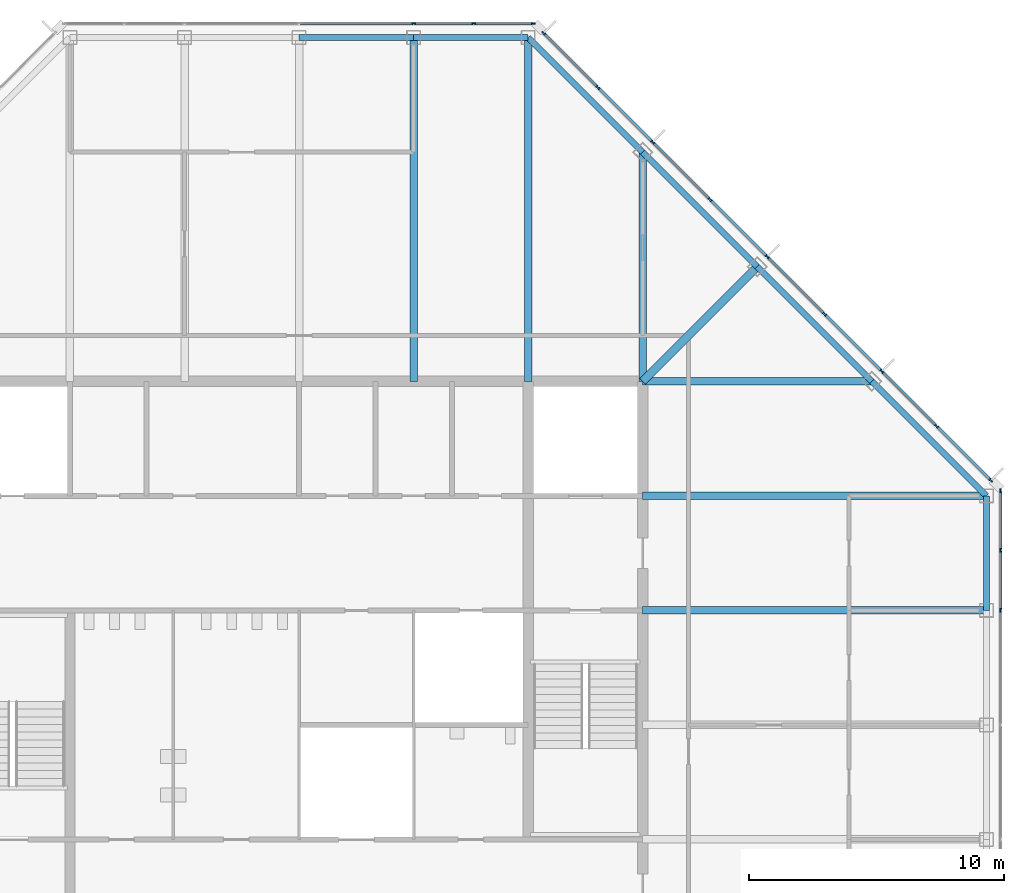
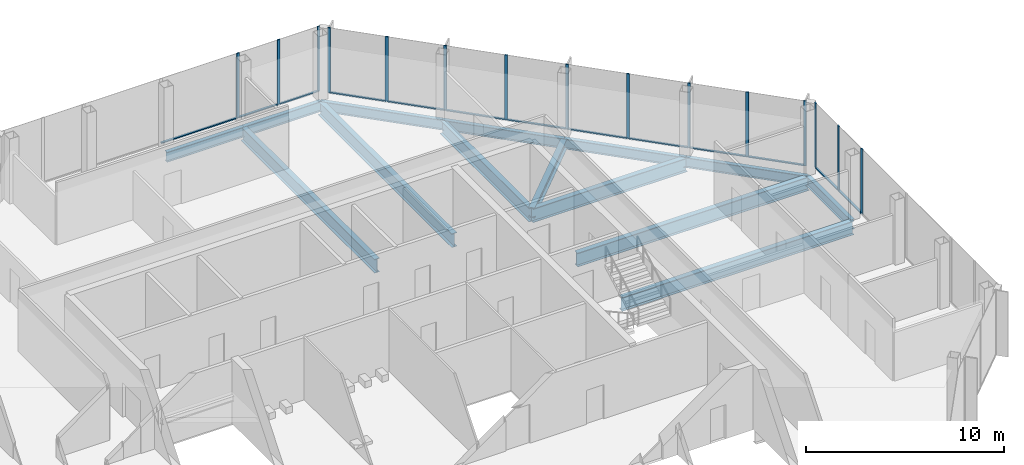
# One storey, part 7 of 14: 28 members, 14 beams, 3 elements without a shape of their own.
"""IFC4 building model written with IfcOpenShell, lengths in metres."""

from ifc_helpers import new_model, si_unit, direction, frame, origin, origin_2d, place, context, subcontext, project, spatial, rectangle, i_section, extrude, material, material_profile, profile_set, type_object, element, aggregate, save


model = new_model("IFC4")

# Units and contexts
model_context = context("Model", 3, precision=1e-05, world=origin(), true_north=direction((0.0, 1.0)))
body_context = subcontext(model_context, "Body", "Model", "MODEL_VIEW")
ifc_project = project(units=[si_unit("LENGTHUNIT", "METRE"), si_unit("AREAUNIT", "SQUARE_METRE"), si_unit("VOLUMEUNIT", "CUBIC_METRE"), si_unit("PLANEANGLEUNIT", "RADIAN"), si_unit("MASSUNIT", "GRAM", prefix="KILO")], contexts=[model_context])

# Site, building, storey
site_placement = place(None, origin())
site = spatial("IfcSite", under=ifc_project, at=site_placement, CompositionType="ELEMENT")
building_placement = place(site_placement, origin())
building = spatial("IfcBuilding", under=site, at=building_placement, Name="Corais Broadcast Tower", CompositionType="ELEMENT")
storey_placement = place(building_placement, frame((0.0, 0.0, 298.60009765625)))
storey = spatial("IfcBuildingStorey", under=building, at=storey_placement, Name="L70", CompositionType="ELEMENT", Elevation=298.60009765625)

# Beams
ifc_material_1 = material(Name="Steel ASTM A572 Grade 50", Category="steel")
ifc_material_profile_1 = material_profile(ifc_material_1, i_section(OverallWidth=0.323974609375, OverallDepth=0.611083984375, WebThickness=0.0126953125, FlangeThickness=0.01904296875, at=origin_2d()), Name="W610x155")
ifc_profile_set_1 = profile_set([ifc_material_profile_1], Name="Steel ASTM A572 Grade 50")
beam_type_1 = type_object("IfcBeamType", Name="Corner diagonal W610x155", PredefinedType="BEAM", material=ifc_profile_set_1)
beam_1_placement = place(storey_placement, frame((45.0, 45.0, -0.465576171875), z_axis=(-0.707106781187, -0.707106781187, 0.0), x_axis=(0.707106781187, -0.707106781187, 0.0)))
element("IfcBeam", 1, at=beam_1_placement, inside=storey, type_object=beam_type_1, Name="B6 L/13 to K/12", PredefinedType="BEAM", context=body_context, shape_type="SweptSolid", body=[
    extrude(i_section(OverallWidth=0.323974609375, OverallDepth=0.611083984375, WebThickness=0.0126953125, FlangeThickness=0.01904296875, at=origin_2d()), origin(), (0.0, 0.0, 1.0), 6.364013671875),
])
ifc_material_2 = material(Name="Steel ASTM A572 Grade 50", Category="steel")
ifc_material_profile_2 = material_profile(ifc_material_2, i_section(OverallWidth=0.2939453125, OverallDepth=0.85107421875, WebThickness=0.01611328125, FlangeThickness=0.02685546875, at=origin_2d()), Name="W840x226")
ifc_profile_set_2 = profile_set([ifc_material_profile_2], Name="Steel ASTM A572 Grade 50")
beam_type_2 = type_object("IfcBeamType", Name="Floor beam W840x226", PredefinedType="BEAM", material=ifc_profile_set_2)
for number, where, z_axis, x_axis, name in (
    (2, (31.5, 54.0, -0.585693359375), (0.0, -1.0, 0.0), (1.0, 0.0, 0.0), "B1 N/10 to K/10"),
    (3, (36.0, 54.0, -0.585693359375), (0.0, -1.0, 0.0), (1.0, 0.0, 0.0), "B1 N/11 to K/11"),
):
    element("IfcBeam", number, at=place(storey_placement, frame(where, z_axis=z_axis, x_axis=x_axis)), inside=storey, type_object=beam_type_2, Name=name, PredefinedType="BEAM", context=body_context, shape_type="SweptSolid", body=[
        extrude(i_section(OverallWidth=0.2939453125, OverallDepth=0.85107421875, WebThickness=0.01611328125, FlangeThickness=0.02685546875, at=origin_2d()), origin(), (0.0, 0.0, 1.0), 13.5),
    ])
for number, where, z_axis, x_axis, name in (
    (4, (40.5, 49.5, -0.585693359375), (0.0, -1.0, 0.0), (1.0, 0.0, 0.0), "B1 M/12 to K/12"),
    (5, (49.5, 40.5, -0.585693359375), (-1.0, 0.0, 0.0), (0.0, -1.0, 0.0), "B1 K/14 to K/12"),
):
    element("IfcBeam", number, at=place(storey_placement, frame(where, z_axis=z_axis, x_axis=x_axis)), inside=storey, type_object=beam_type_2, Name=name, PredefinedType="BEAM", context=body_context, shape_type="SweptSolid", body=[
        extrude(i_section(OverallWidth=0.2939453125, OverallDepth=0.85107421875, WebThickness=0.01611328125, FlangeThickness=0.02685546875, at=origin_2d()), origin(), (0.0, 0.0, 1.0), 9.0),
    ])
for number, where, z_axis, x_axis, name in (
    (6, (54.0, 31.5, -0.585693359375), (-1.0, 0.0, 0.0), (0.0, -1.0, 0.0), "B1 H/15 to H/12"),
    (7, (54.0, 36.0, -0.585693359375), (-1.0, 0.0, 0.0), (0.0, -1.0, 0.0), "B1 J/15 to J/12"),
):
    element("IfcBeam", number, at=place(storey_placement, frame(where, z_axis=z_axis, x_axis=x_axis)), inside=storey, type_object=beam_type_2, Name=name, PredefinedType="BEAM", context=body_context, shape_type="SweptSolid", body=[
        extrude(i_section(OverallWidth=0.2939453125, OverallDepth=0.85107421875, WebThickness=0.01611328125, FlangeThickness=0.02685546875, at=origin_2d()), origin(), (0.0, 0.0, 1.0), 13.5),
    ])

# Curtain wall, members
ifc_material_3 = material(Name="Aluminium and glass", Category="aluminium")
curtain_wall_type = type_object("IfcCurtainWallType", Name="Unitised fritted curtain wall CW3", PredefinedType="NOTDEFINED", material=ifc_material_3)
curtain_wall_1_placement = place(storey_placement, origin())
curtain_wall_1 = element("IfcCurtainWall", 8, at=curtain_wall_1_placement, inside=storey, type_object=curtain_wall_type, Name="CW3 curtain wall L70 4", PredefinedType="NOTDEFINED")
ifc_material_4 = material(Name="Aluminium 6063-T6", Category="aluminium")
ifc_material_profile_3 = material_profile(ifc_material_4, rectangle(XDim=0.06494140625, YDim=0.159912109375, at=origin_2d()), Name="Mullion CW3 65x160")
ifc_profile_set_3 = profile_set([ifc_material_profile_3], Name="Aluminium 6063-T6")
member_type_1 = type_object("IfcMemberType", Name="Mullion CW3 65x160", PredefinedType="MULLION", material=ifc_profile_set_3)
member_1_placement = place(storey_placement, frame((31.5, 54.550048828125, 0.0), z_axis=(0.0, 0.0, 1.0), x_axis=(0.0, 1.0, 0.0)))
member_1 = element("IfcMember", 9, at=member_1_placement, type_object=member_type_1, Name="CW3 mullion 5", PredefinedType="MULLION", context=body_context, shape_type="SweptSolid", body=[
    extrude(rectangle(XDim=0.06494140625, YDim=0.159912109375, at=origin_2d()), origin(), (0.0, 0.0, 1.0), 4.0),
])
member_2_placement = place(storey_placement, frame((33.864013671875, 54.550048828125, 0.0), z_axis=(0.0, 0.0, 1.0), x_axis=(0.0, 1.0, 0.0)))
member_2 = element("IfcMember", 10, at=member_2_placement, type_object=member_type_1, Name="CW3 mullion 6", PredefinedType="MULLION", context=body_context, shape_type="SweptSolid", body=[
    extrude(rectangle(XDim=0.06494140625, YDim=0.159912109375, at=origin_2d()), origin(), (0.0, 0.0, 1.0), 4.0),
])
member_3_placement = place(storey_placement, frame((36.1953125, 54.550048828125, 0.0), z_axis=(0.0, 0.0, 1.0), x_axis=(0.0, 1.0, 0.0)))
member_3 = element("IfcMember", 11, at=member_3_placement, type_object=member_type_1, Name="CW3 mullion 7", PredefinedType="MULLION", context=body_context, shape_type="SweptSolid", body=[
    extrude(rectangle(XDim=0.06494140625, YDim=0.159912109375, at=origin_2d()), origin(), (0.0, 0.0, 1.0), 4.0),
])

curtain_wall_2_placement = place(storey_placement, origin())
curtain_wall_2 = element("IfcCurtainWall", 12, at=curtain_wall_2_placement, inside=storey, type_object=curtain_wall_type, Name="CW3 curtain wall L70 5", PredefinedType="NOTDEFINED")
member_4_placement = place(storey_placement, frame((36.6044921875, 54.17333984375, 0.0), z_axis=(0.0, 0.0, 1.0), x_axis=(0.707106781187, 0.707106781187, 0.0)))
member_4 = element("IfcMember", 13, at=member_4_placement, type_object=member_type_1, Name="CW3 mullion 1", PredefinedType="MULLION", context=body_context, shape_type="SweptSolid", body=[
    extrude(rectangle(XDim=0.06494140625, YDim=0.159912109375, at=origin_2d()), origin(), (0.0, 0.0, 1.0), 4.0),
])
member_5_placement = place(storey_placement, frame((38.735107421875, 52.042724609375, 0.0), z_axis=(0.0, 0.0, 1.0), x_axis=(0.707106781187, 0.707106781187, 0.0)))
member_5 = element("IfcMember", 14, at=member_5_placement, type_object=member_type_1, Name="CW3 mullion 2", PredefinedType="MULLION", context=body_context, shape_type="SweptSolid", body=[
    extrude(rectangle(XDim=0.06494140625, YDim=0.159912109375, at=origin_2d()), origin(), (0.0, 0.0, 1.0), 4.0),
])
member_6_placement = place(storey_placement, frame((40.888916015625, 49.888916015625, 0.0), z_axis=(0.0, 0.0, 1.0), x_axis=(0.707106781187, 0.707106781187, 0.0)))
member_6 = element("IfcMember", 15, at=member_6_placement, type_object=member_type_1, Name="CW3 mullion 3", PredefinedType="MULLION", context=body_context, shape_type="SweptSolid", body=[
    extrude(rectangle(XDim=0.06494140625, YDim=0.159912109375, at=origin_2d()), origin(), (0.0, 0.0, 1.0), 4.0),
])
member_7_placement = place(storey_placement, frame((43.138916015625, 47.638916015625, 0.0), z_axis=(0.0, 0.0, 1.0), x_axis=(0.707106781187, 0.707106781187, 0.0)))
member_7 = element("IfcMember", 16, at=member_7_placement, type_object=member_type_1, Name="CW3 mullion 4", PredefinedType="MULLION", context=body_context, shape_type="SweptSolid", body=[
    extrude(rectangle(XDim=0.06494140625, YDim=0.159912109375, at=origin_2d()), origin(), (0.0, 0.0, 1.0), 4.0),
])
member_8_placement = place(storey_placement, frame((45.388916015625, 45.388916015625, 0.0), z_axis=(0.0, 0.0, 1.0), x_axis=(0.707106781187, 0.707106781187, 0.0)))
member_8 = element("IfcMember", 17, at=member_8_placement, type_object=member_type_1, Name="CW3 mullion 5", PredefinedType="MULLION", context=body_context, shape_type="SweptSolid", body=[
    extrude(rectangle(XDim=0.06494140625, YDim=0.159912109375, at=origin_2d()), origin(), (0.0, 0.0, 1.0), 4.0),
])
member_9_placement = place(storey_placement, frame((47.638916015625, 43.138916015625, 0.0), z_axis=(0.0, 0.0, 1.0), x_axis=(0.707106781187, 0.707106781187, 0.0)))
member_9 = element("IfcMember", 18, at=member_9_placement, type_object=member_type_1, Name="CW3 mullion 6", PredefinedType="MULLION", context=body_context, shape_type="SweptSolid", body=[
    extrude(rectangle(XDim=0.06494140625, YDim=0.159912109375, at=origin_2d()), origin(), (0.0, 0.0, 1.0), 4.0),
])
member_10_placement = place(storey_placement, frame((49.888916015625, 40.888916015625, 0.0), z_axis=(0.0, 0.0, 1.0), x_axis=(0.707106781187, 0.707106781187, 0.0)))
member_10 = element("IfcMember", 19, at=member_10_placement, type_object=member_type_1, Name="CW3 mullion 7", PredefinedType="MULLION", context=body_context, shape_type="SweptSolid", body=[
    extrude(rectangle(XDim=0.06494140625, YDim=0.159912109375, at=origin_2d()), origin(), (0.0, 0.0, 1.0), 4.0),
])
member_11_placement = place(storey_placement, frame((52.042724609375, 38.735107421875, 0.0), z_axis=(0.0, 0.0, 1.0), x_axis=(0.707106781187, 0.707106781187, 0.0)))
member_11 = element("IfcMember", 20, at=member_11_placement, type_object=member_type_1, Name="CW3 mullion 8", PredefinedType="MULLION", context=body_context, shape_type="SweptSolid", body=[
    extrude(rectangle(XDim=0.06494140625, YDim=0.159912109375, at=origin_2d()), origin(), (0.0, 0.0, 1.0), 4.0),
])
member_12_placement = place(storey_placement, frame((54.17333984375, 36.6044921875, 0.0), z_axis=(0.0, 0.0, 1.0), x_axis=(0.707106781187, 0.707106781187, 0.0)))
member_12 = element("IfcMember", 21, at=member_12_placement, type_object=member_type_1, Name="CW3 mullion 9", PredefinedType="MULLION", context=body_context, shape_type="SweptSolid", body=[
    extrude(rectangle(XDim=0.06494140625, YDim=0.159912109375, at=origin_2d()), origin(), (0.0, 0.0, 1.0), 4.0),
])

curtain_wall_3_placement = place(storey_placement, origin())
curtain_wall_3 = element("IfcCurtainWall", 22, at=curtain_wall_3_placement, inside=storey, type_object=curtain_wall_type, Name="CW3 curtain wall L70 6", PredefinedType="NOTDEFINED")
member_13_placement = place(storey_placement, frame((54.550048828125, 36.1953125, 0.0), z_axis=(0.0, 0.0, 1.0), x_axis=(1.0, 0.0, 0.0)))
member_13 = element("IfcMember", 23, at=member_13_placement, type_object=member_type_1, Name="CW3 mullion 1", PredefinedType="MULLION", context=body_context, shape_type="SweptSolid", body=[
    extrude(rectangle(XDim=0.06494140625, YDim=0.159912109375, at=origin_2d()), origin(), (0.0, 0.0, 1.0), 4.0),
])
member_14_placement = place(storey_placement, frame((54.550048828125, 33.864013671875, 0.0), z_axis=(0.0, 0.0, 1.0), x_axis=(1.0, 0.0, 0.0)))
member_14 = element("IfcMember", 24, at=member_14_placement, type_object=member_type_1, Name="CW3 mullion 2", PredefinedType="MULLION", context=body_context, shape_type="SweptSolid", body=[
    extrude(rectangle(XDim=0.06494140625, YDim=0.159912109375, at=origin_2d()), origin(), (0.0, 0.0, 1.0), 4.0),
])
member_15_placement = place(storey_placement, frame((54.550048828125, 31.5, 0.0), z_axis=(0.0, 0.0, 1.0), x_axis=(1.0, 0.0, 0.0)))
member_15 = element("IfcMember", 25, at=member_15_placement, type_object=member_type_1, Name="CW3 mullion 3", PredefinedType="MULLION", context=body_context, shape_type="SweptSolid", body=[
    extrude(rectangle(XDim=0.06494140625, YDim=0.159912109375, at=origin_2d()), origin(), (0.0, 0.0, 1.0), 4.0),
])

# Beams
ifc_material_5 = material(Name="Steel ASTM A572 Grade 50", Category="steel")
ifc_material_profile_4 = material_profile(ifc_material_5, i_section(OverallWidth=0.22998046875, OverallDepth=0.616943359375, WebThickness=0.01318359375, FlangeThickness=0.022216796875, at=origin_2d()), Name="W610x140")
ifc_profile_set_4 = profile_set([ifc_material_profile_4], Name="Steel ASTM A572 Grade 50")
beam_type_3 = type_object("IfcBeamType", Name="Spandrel W610x140", PredefinedType="BEAM", material=ifc_profile_set_4)
for number, where, z_axis, x_axis, name in (
    (26, (31.5, 54.0, -0.468505859375), (-1.0, 0.0, 0.0), (0.0, -1.0, 0.0), "SB3 N/10 to N/9"),
    (27, (36.0, 54.0, -0.468505859375), (-1.0, 0.0, 0.0), (0.0, -1.0, 0.0), "SB3 N/11 to N/10"),
):
    element("IfcBeam", number, at=place(storey_placement, frame(where, z_axis=z_axis, x_axis=x_axis)), inside=storey, type_object=beam_type_3, Name=name, PredefinedType="BEAM", context=body_context, shape_type="SweptSolid", body=[
        extrude(i_section(OverallWidth=0.22998046875, OverallDepth=0.616943359375, WebThickness=0.01318359375, FlangeThickness=0.022216796875, at=origin_2d()), origin(), (0.0, 0.0, 1.0), 4.5),
    ])
for number, where, z_axis, x_axis, name in (
    (28, (40.5, 49.5, -0.468505859375), (-0.707106781187, 0.707106781187, 0.0), (-0.707106781187, -0.707106781187, 0.0), "SB3 M/12 to N/11"),
    (29, (45.0, 45.0, -0.468505859375), (-0.707106781187, 0.707106781187, 0.0), (-0.707106781187, -0.707106781187, 0.0), "SB3 L/13 to M/12"),
    (30, (49.5, 40.5, -0.468505859375), (-0.707106781187, 0.707106781187, 0.0), (-0.707106781187, -0.707106781187, 0.0), "SB3 K/14 to L/13"),
):
    element("IfcBeam", number, at=place(storey_placement, frame(where, z_axis=z_axis, x_axis=x_axis)), inside=storey, type_object=beam_type_3, Name=name, PredefinedType="BEAM", context=body_context, shape_type="SweptSolid", body=[
        extrude(i_section(OverallWidth=0.22998046875, OverallDepth=0.616943359375, WebThickness=0.01318359375, FlangeThickness=0.022216796875, at=origin_2d()), origin(), (0.0, 0.0, 1.0), 6.364013671875),
    ])
beam_2_placement = place(storey_placement, frame((54.0, 31.5, -0.468505859375), z_axis=(0.0, 1.0, 0.0), x_axis=(-1.0, 0.0, 0.0)))
element("IfcBeam", 31, at=beam_2_placement, inside=storey, type_object=beam_type_3, Name="SB3 H/15 to J/15", PredefinedType="BEAM", context=body_context, shape_type="SweptSolid", body=[
    extrude(i_section(OverallWidth=0.22998046875, OverallDepth=0.616943359375, WebThickness=0.01318359375, FlangeThickness=0.022216796875, at=origin_2d()), origin(), (0.0, 0.0, 1.0), 4.5),
])
beam_3_placement = place(storey_placement, frame((54.0, 36.0, -0.468505859375), z_axis=(-0.707106781187, 0.707106781187, 0.0), x_axis=(-0.707106781187, -0.707106781187, 0.0)))
element("IfcBeam", 32, at=beam_3_placement, inside=storey, type_object=beam_type_3, Name="SB3 J/15 to K/14", PredefinedType="BEAM", context=body_context, shape_type="SweptSolid", body=[
    extrude(i_section(OverallWidth=0.22998046875, OverallDepth=0.616943359375, WebThickness=0.01318359375, FlangeThickness=0.022216796875, at=origin_2d()), origin(), (0.0, 0.0, 1.0), 6.364013671875),
])

# Member
ifc_material_6 = material(Name="Aluminium 6063-T6", Category="aluminium")
ifc_material_profile_5 = material_profile(ifc_material_6, rectangle(XDim=0.1201171875, YDim=0.06494140625, at=origin_2d()), Name="Transom CW3 65x120")
ifc_profile_set_5 = profile_set([ifc_material_profile_5], Name="Aluminium 6063-T6")
member_type_2 = type_object("IfcMemberType", Name="Transom CW3 65x120", PredefinedType="USERDEFINED", material=ifc_profile_set_5)
member_16_placement = place(storey_placement, frame((27.032470703125, 54.550048828125, 0.032470703125), z_axis=(1.0, 0.0, 0.0), x_axis=(0.0, 1.0, 0.0)))
member_16 = element("IfcMember", 33, at=member_16_placement, type_object=member_type_2, Name="CW3 transom 4.1", ObjectType="TRANSOM", PredefinedType="USERDEFINED", context=body_context, shape_type="SweptSolid", body=[
    extrude(rectangle(XDim=0.1201171875, YDim=0.06494140625, at=origin_2d()), origin(), (0.0, 0.0, 1.0), 4.43505859375),
])

member_17_placement = place(storey_placement, frame((31.532470703125, 54.550048828125, 0.032470703125), z_axis=(1.0, 0.0, 0.0), x_axis=(0.0, 1.0, 0.0)))
member_17 = element("IfcMember", 34, at=member_17_placement, type_object=member_type_2, Name="CW3 transom 5.1", ObjectType="TRANSOM", PredefinedType="USERDEFINED", context=body_context, shape_type="SweptSolid", body=[
    extrude(rectangle(XDim=0.1201171875, YDim=0.06494140625, at=origin_2d()), origin(), (0.0, 0.0, 1.0), 2.298828125),
])

member_18_placement = place(storey_placement, frame((33.896484375, 54.550048828125, 0.032470703125), z_axis=(1.0, 0.0, 0.0), x_axis=(0.0, 1.0, 0.0)))
member_18 = element("IfcMember", 35, at=member_18_placement, type_object=member_type_2, Name="CW3 transom 6.1", ObjectType="TRANSOM", PredefinedType="USERDEFINED", context=body_context, shape_type="SweptSolid", body=[
    extrude(rectangle(XDim=0.1201171875, YDim=0.06494140625, at=origin_2d()), origin(), (0.0, 0.0, 1.0), 2.266357421875),
])

aggregate(curtain_wall_1, [member_1, member_2, member_3, member_16, member_17, member_18])

member_19_placement = place(storey_placement, frame((36.62744140625, 54.150390625, 0.032470703125), z_axis=(0.707106781187, -0.707106781187, 0.0), x_axis=(0.707106781187, 0.707106781187, 0.0)))
member_19 = element("IfcMember", 36, at=member_19_placement, type_object=member_type_2, Name="CW3 transom 1.1", ObjectType="TRANSOM", PredefinedType="USERDEFINED", context=body_context, shape_type="SweptSolid", body=[
    extrude(rectangle(XDim=0.1201171875, YDim=0.06494140625, at=origin_2d()), origin(), (0.0, 0.0, 1.0), 2.9482421875),
])

member_20_placement = place(storey_placement, frame((38.758056640625, 52.019775390625, 0.032470703125), z_axis=(0.707106781187, -0.707106781187, 0.0), x_axis=(0.707106781187, 0.707106781187, 0.0)))
member_20 = element("IfcMember", 37, at=member_20_placement, type_object=member_type_2, Name="CW3 transom 2.1", ObjectType="TRANSOM", PredefinedType="USERDEFINED", context=body_context, shape_type="SweptSolid", body=[
    extrude(rectangle(XDim=0.1201171875, YDim=0.06494140625, at=origin_2d()), origin(), (0.0, 0.0, 1.0), 2.98095703125),
])

member_21_placement = place(storey_placement, frame((40.911865234375, 49.865966796875, 0.032470703125), z_axis=(0.707106781187, -0.707106781187, 0.0), x_axis=(0.707106781187, 0.707106781187, 0.0)))
member_21 = element("IfcMember", 38, at=member_21_placement, type_object=member_type_2, Name="CW3 transom 3.1", ObjectType="TRANSOM", PredefinedType="USERDEFINED", context=body_context, shape_type="SweptSolid", body=[
    extrude(rectangle(XDim=0.1201171875, YDim=0.06494140625, at=origin_2d()), origin(), (0.0, 0.0, 1.0), 3.1171875),
])

member_22_placement = place(storey_placement, frame((43.161865234375, 47.615966796875, 0.032470703125), z_axis=(0.707106781187, -0.707106781187, 0.0), x_axis=(0.707106781187, 0.707106781187, 0.0)))
member_22 = element("IfcMember", 39, at=member_22_placement, type_object=member_type_2, Name="CW3 transom 4.1", ObjectType="TRANSOM", PredefinedType="USERDEFINED", context=body_context, shape_type="SweptSolid", body=[
    extrude(rectangle(XDim=0.1201171875, YDim=0.06494140625, at=origin_2d()), origin(), (0.0, 0.0, 1.0), 3.1171875),
])

member_23_placement = place(storey_placement, frame((45.411865234375, 45.365966796875, 0.032470703125), z_axis=(0.707106781187, -0.707106781187, 0.0), x_axis=(0.707106781187, 0.707106781187, 0.0)))
member_23 = element("IfcMember", 40, at=member_23_placement, type_object=member_type_2, Name="CW3 transom 5.1", ObjectType="TRANSOM", PredefinedType="USERDEFINED", context=body_context, shape_type="SweptSolid", body=[
    extrude(rectangle(XDim=0.1201171875, YDim=0.06494140625, at=origin_2d()), origin(), (0.0, 0.0, 1.0), 3.1171875),
])

member_24_placement = place(storey_placement, frame((47.661865234375, 43.115966796875, 0.032470703125), z_axis=(0.707106781187, -0.707106781187, 0.0), x_axis=(0.707106781187, 0.707106781187, 0.0)))
member_24 = element("IfcMember", 41, at=member_24_placement, type_object=member_type_2, Name="CW3 transom 6.1", ObjectType="TRANSOM", PredefinedType="USERDEFINED", context=body_context, shape_type="SweptSolid", body=[
    extrude(rectangle(XDim=0.1201171875, YDim=0.06494140625, at=origin_2d()), origin(), (0.0, 0.0, 1.0), 3.1171875),
])

member_25_placement = place(storey_placement, frame((49.911865234375, 40.865966796875, 0.032470703125), z_axis=(0.707065828661, -0.70714773134, 0.0), x_axis=(0.70714773134, 0.707065828661, 0.0)))
member_25 = element("IfcMember", 42, at=member_25_placement, type_object=member_type_2, Name="CW3 transom 7.1", ObjectType="TRANSOM", PredefinedType="USERDEFINED", context=body_context, shape_type="SweptSolid", body=[
    extrude(rectangle(XDim=0.1201171875, YDim=0.06494140625, at=origin_2d()), origin(), (0.0, 0.0, 1.0), 2.98095703125),
])

member_26_placement = place(storey_placement, frame((52.065673828125, 38.712158203125, 0.032470703125), z_axis=(0.707106781187, -0.707106781187, 0.0), x_axis=(0.707106781187, 0.707106781187, 0.0)))
member_26 = element("IfcMember", 43, at=member_26_placement, type_object=member_type_2, Name="CW3 transom 8.1", ObjectType="TRANSOM", PredefinedType="USERDEFINED", context=body_context, shape_type="SweptSolid", body=[
    extrude(rectangle(XDim=0.1201171875, YDim=0.06494140625, at=origin_2d()), origin(), (0.0, 0.0, 1.0), 2.9482421875),
])

aggregate(curtain_wall_2, [member_4, member_5, member_6, member_7, member_8, member_9, member_10, member_11, member_12, member_19, member_20, member_21, member_22, member_23, member_24, member_25, member_26])

member_27_placement = place(storey_placement, frame((54.550048828125, 36.162841796875, 0.032470703125), z_axis=(0.0, -1.0, 0.0), x_axis=(1.0, 0.0, 0.0)))
member_27 = element("IfcMember", 44, at=member_27_placement, type_object=member_type_2, Name="CW3 transom 1.1", ObjectType="TRANSOM", PredefinedType="USERDEFINED", context=body_context, shape_type="SweptSolid", body=[
    extrude(rectangle(XDim=0.1201171875, YDim=0.06494140625, at=origin_2d()), origin(), (0.0, 0.0, 1.0), 2.266357421875),
])

member_28_placement = place(storey_placement, frame((54.550048828125, 33.831298828125, 0.032470703125), z_axis=(0.0, -1.0, 0.0), x_axis=(1.0, 0.0, 0.0)))
member_28 = element("IfcMember", 45, at=member_28_placement, type_object=member_type_2, Name="CW3 transom 2.1", ObjectType="TRANSOM", PredefinedType="USERDEFINED", context=body_context, shape_type="SweptSolid", body=[
    extrude(rectangle(XDim=0.1201171875, YDim=0.06494140625, at=origin_2d()), origin(), (0.0, 0.0, 1.0), 2.298828125),
])

aggregate(curtain_wall_3, [member_13, member_14, member_15, member_27, member_28])

save(model, "model.ifc")
